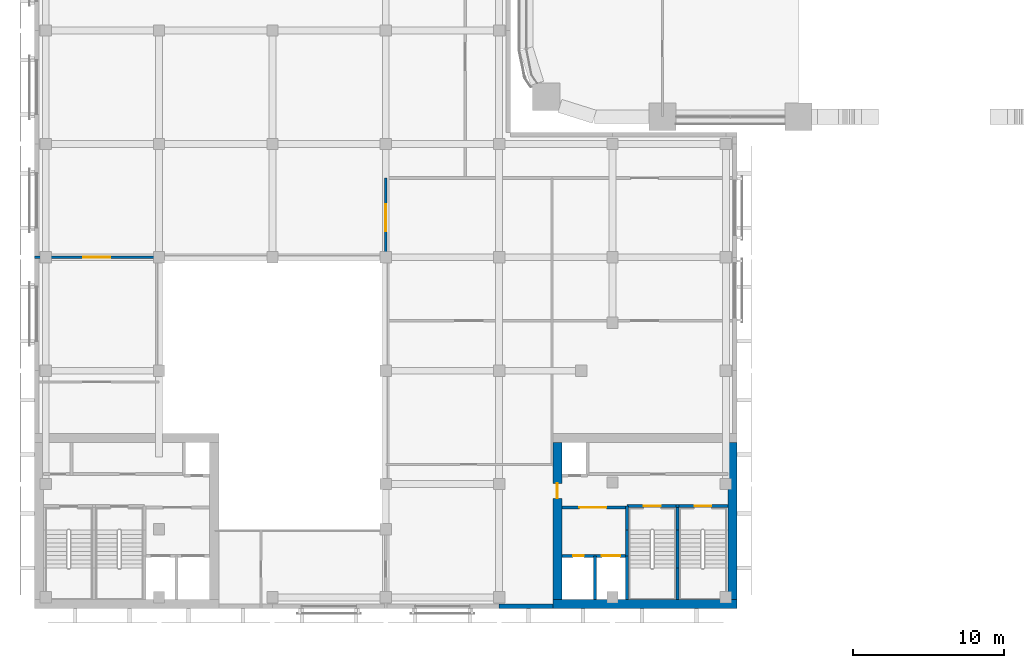
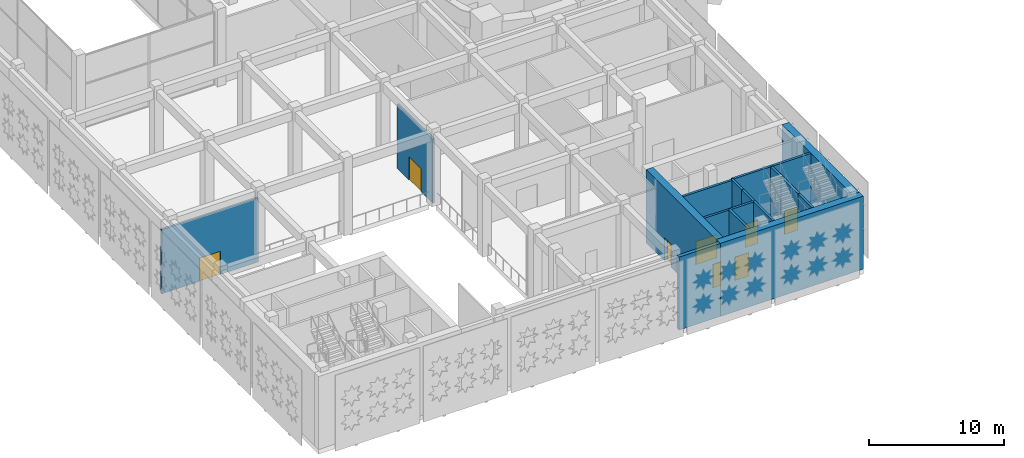
# One storey, part 15 of 42: 18 walls, 8 doors, 8 openings.
"""IFC4 building model written with IfcOpenShell, lengths in metres."""

from ifc_helpers import new_model, si_unit, direction, frame, frame_2d, origin, place, context, subcontext, project, spatial, rectangle, extrude, material, layer, layer_set, type_object, element, fill, save


model = new_model("IFC4")

# Units and contexts
model_context = context("Model", 3, precision=1e-05, world=origin(), true_north=direction((0.0, 1.0)))
body_context = subcontext(model_context, "Body", "Model", "MODEL_VIEW")
ifc_project = project(units=[si_unit("LENGTHUNIT", "METRE"), si_unit("AREAUNIT", "SQUARE_METRE"), si_unit("VOLUMEUNIT", "CUBIC_METRE"), si_unit("PLANEANGLEUNIT", "RADIAN"), si_unit("MASSUNIT", "GRAM", prefix="KILO")], contexts=[model_context])

# Site, building, storey
site_placement = place(None, origin())
site = spatial("IfcSite", under=ifc_project, at=site_placement, CompositionType="ELEMENT")
building_placement = place(site_placement, origin())
building = spatial("IfcBuilding", under=site, at=building_placement, Name="Tessera Arch", CompositionType="ELEMENT")
storey_placement = place(building_placement, frame((0.0, 0.0, 14.0)))
storey = spatial("IfcBuildingStorey", under=building, at=storey_placement, Name="L02", CompositionType="ELEMENT", Elevation=14.0)

# Wall, opening, door
ifc_material_1 = material(Name="Gypsum board on steel stud", Category="steel")
ifc_layer_1 = layer(ifc_material_1, 0.125)
ifc_layer_set_1 = layer_set([ifc_layer_1], Name="Core partition 125 EI 60")
wall_type_1 = type_object("IfcWallType", Name="Core partition 125 EI 60", PredefinedType="PARTITIONING", material=ifc_layer_set_1)
wall_1_placement = place(storey_placement, frame((2.35009765625, -25.85009765625, 0.0), z_axis=(0.0, 0.0, 1.0), x_axis=(1.0, 0.0, 0.0)))
wall_1 = element("IfcWall", 1, at=wall_1_placement, inside=storey, type_object=wall_type_1, Name="L02 M3 partition wall 10", PredefinedType="PARTITIONING", context=body_context, shape_type="SweptSolid", body=[
    extrude(rectangle(XDim=4.2998046875, YDim=0.199951171875, at=frame_2d((2.14990234375, 0.0))), origin(), (0.0, 0.0, 1.0), 6.590087890625),
])
opening_1_placement = place(wall_1_placement, frame((1.14990234375, 0.0, 0.0)))
opening_1 = element("IfcOpeningElement", 2, at=opening_1_placement, cuts=wall_1, Name="Opening L02-C64", PredefinedType="OPENING", context=body_context, shape_type="SweptSolid", body=[
    extrude(rectangle(XDim=1.800048828125, YDim=2.10009765625, at=frame_2d((0.89990234375, 1.050048828125))), frame((0.0, 0.10986328125, 0.0), z_axis=(0.0, -1.0, 0.0), x_axis=(1.0, 0.0, 0.0)), (0.0, 0.0, 1.0), 0.219970703125),
])
ifc_material_2 = material(Name="Glazed steel door leaf", Category="steel")
door_type_1 = type_object("IfcDoorType", Name="Lobby double door FD30S 1800 x 2100", OperationType="DOUBLE_DOOR_SINGLE_SWING", PredefinedType="DOOR", material=ifc_material_2)
door_1_placement = place(opening_1_placement, origin())
door_1 = element("IfcDoor", 3, at=door_1_placement, inside=storey, type_object=door_type_1, Name="L02 M3 door 4 C64 type D06", OperationType="DOUBLE_DOOR_SINGLE_SWING", OverallHeight=2.10009765625, OverallWidth=1.800048828125, PredefinedType="DOOR", context=body_context, shape_type="SweptSolid", body=[
    extrude(rectangle(XDim=1.800048828125, YDim=2.10009765625, at=frame_2d((0.89990234375, 1.050048828125))), frame((0.0, 0.02490234375, 0.0), z_axis=(0.0, -1.0, 0.0), x_axis=(1.0, 0.0, 0.0)), (0.0, 0.0, 1.0), 0.050048828125),
])
fill(opening_1, door_1)

# Wall
ifc_material_3 = material(Name="Concrete C70/85", Category="concrete")
ifc_layer_2 = layer(ifc_material_3, 0.60009765625)
ifc_layer_set_2 = layer_set([ifc_layer_2], Name="Core shell wall 600 C70-85")
wall_type_2 = type_object("IfcWallType", Name="Core shell wall 600 C70-85", PredefinedType="SHEAR", material=ifc_layer_set_2)
wall_2_placement = place(storey_placement, frame((1.75, -32.25, 0.0), z_axis=(0.0, 0.0, 1.0), x_axis=(1.0, 0.0, 0.0)))
element("IfcWall", 4, at=wall_2_placement, inside=storey, type_object=wall_type_2, Name="L02 M3 core wall S", PredefinedType="SHEAR", context=body_context, shape_type="SweptSolid", body=[
    extrude(rectangle(XDim=12.199951171875, YDim=0.60009765625, at=frame_2d((6.10009765625, 0.0))), origin(), (0.0, 0.0, 1.0), 6.590087890625),
])

# Wall, opening, door
wall_3_placement = place(storey_placement, frame((2.050048828125, -31.949951171875, 0.0), z_axis=(0.0, 0.0, 1.0), x_axis=(0.0, 1.0, 0.0)))
wall_3 = element("IfcWall", 5, at=wall_3_placement, inside=storey, type_object=wall_type_2, Name="L02 M3 core wall W", PredefinedType="SHEAR", context=body_context, shape_type="SweptSolid", body=[
    extrude(rectangle(XDim=10.39990234375, YDim=0.60009765625, at=frame_2d((5.199951171875, 0.0))), origin(), (0.0, 0.0, 1.0), 6.590087890625),
])
opening_2_placement = place(wall_3_placement, frame((6.699951171875, 0.0, 0.0)))
opening_2 = element("IfcOpeningElement", 6, at=opening_2_placement, cuts=wall_3, Name="Opening L02-C67", PredefinedType="OPENING", context=body_context, shape_type="SweptSolid", body=[
    extrude(rectangle(XDim=1.0, YDim=2.10009765625, at=frame_2d((0.5, 1.050048828125))), frame((0.0, 0.31005859375, 0.0), z_axis=(0.0, -1.0, 0.0), x_axis=(1.0, 0.0, 0.0)), (0.0, 0.0, 1.0), 0.6201171875),
])
ifc_material_4 = material(Name="Steel door leaf", Category="steel")
door_type_2 = type_object("IfcDoorType", Name="Corridor door FD60 1000 x 2100", OperationType="SINGLE_SWING_LEFT", PredefinedType="DOOR", material=ifc_material_4)
door_2_placement = place(opening_2_placement, origin())
door_2 = element("IfcDoor", 7, at=door_2_placement, inside=storey, type_object=door_type_2, Name="L02 M3 door 7 C67 type D12", OperationType="SINGLE_SWING_RIGHT", OverallHeight=2.10009765625, OverallWidth=1.0, PredefinedType="DOOR", context=body_context, shape_type="SweptSolid", body=[
    extrude(rectangle(XDim=1.0, YDim=2.10009765625, at=frame_2d((0.5, 1.050048828125))), frame((0.0, 0.02490234375, 0.0), z_axis=(0.0, -1.0, 0.0), x_axis=(1.0, 0.0, 0.0)), (0.0, 0.0, 1.0), 0.050048828125),
])
fill(opening_2, door_2)

# Wall
wall_4_placement = place(storey_placement, frame((13.64990234375, -31.949951171875, 0.0), z_axis=(0.0, 0.0, 1.0), x_axis=(0.0, 1.0, 0.0)))
element("IfcWall", 8, at=wall_4_placement, inside=storey, type_object=wall_type_2, Name="L02 M3 core wall E", PredefinedType="SHEAR", context=body_context, shape_type="SweptSolid", body=[
    extrude(rectangle(XDim=10.39990234375, YDim=0.60009765625, at=frame_2d((5.199951171875, 0.0))), origin(), (0.0, 0.0, 1.0), 6.590087890625),
])

# Wall, opening, door
ifc_material_5 = material(Name="Gypsum board on deep steel stud with mineral wool", Category="steel")
ifc_layer_3 = layer(ifc_material_5, 0.175048828125)
ifc_layer_set_3 = layer_set([ifc_layer_3], Name="Corridor wall 175 EI 60")
wall_type_3 = type_object("IfcWallType", Name="Corridor wall 175 EI 60", PredefinedType="PARTITIONING", material=ifc_layer_set_3)
wall_5_placement = place(storey_placement, frame((-32.550048828125, -9.300048828125, 0.0), z_axis=(0.0, 0.0, 1.0), x_axis=(1.0, 0.0, 0.0)))
wall_5 = element("IfcWall", 9, at=wall_5_placement, inside=storey, type_object=wall_type_3, Name="L02 partition 1", PredefinedType="PARTITIONING", context=body_context, shape_type="SweptSolid", body=[
    extrude(rectangle(XDim=8.25, YDim=0.175048828125, at=frame_2d((4.125, 0.0))), origin(), (0.0, 0.0, 1.0), 5.7900390625),
])
opening_3_placement = place(wall_5_placement, frame((3.22509765625, 0.0, 0.0)))
opening_3 = element("IfcOpeningElement", 10, at=opening_3_placement, cuts=wall_5, Name="Opening L02-D013", PredefinedType="OPENING", context=body_context, shape_type="SweptSolid", body=[
    extrude(rectangle(XDim=1.800048828125, YDim=2.10009765625, at=frame_2d((0.89990234375, 1.050048828125))), frame((0.0, 0.097412109375, 0.0), z_axis=(0.0, -1.0, 0.0), x_axis=(1.0, 0.0, 0.0)), (0.0, 0.0, 1.0), 0.195068359375),
])
ifc_material_6 = material(Name="Timber door leaf", Category="wood")
door_type_3 = type_object("IfcDoorType", Name="Double door 1800 x 2100", OperationType="DOUBLE_DOOR_SINGLE_SWING", PredefinedType="DOOR", material=ifc_material_6)
door_3_placement = place(opening_3_placement, origin())
door_3 = element("IfcDoor", 11, at=door_3_placement, inside=storey, type_object=door_type_3, Name="L02 door D013 type D13", OperationType="DOUBLE_DOOR_SINGLE_SWING", OverallHeight=2.10009765625, OverallWidth=1.800048828125, PredefinedType="DOOR", context=body_context, shape_type="SweptSolid", body=[
    extrude(rectangle(XDim=1.800048828125, YDim=2.10009765625, at=frame_2d((0.89990234375, 1.050048828125))), frame((0.0, 0.02490234375, 0.0), z_axis=(0.0, -1.0, 0.0), x_axis=(1.0, 0.0, 0.0)), (0.0, 0.0, 1.0), 0.050048828125),
])
fill(opening_3, door_3)

wall_6_placement = place(storey_placement, frame((-9.300048828125, -9.300048828125, 0.0), z_axis=(0.0, 0.0, 1.0), x_axis=(0.0, 1.0, 0.0)))
wall_6 = element("IfcWall", 12, at=wall_6_placement, inside=storey, type_object=wall_type_3, Name="L02 partition 12", PredefinedType="PARTITIONING", context=body_context, shape_type="SweptSolid", body=[
    extrude(rectangle(XDim=5.25, YDim=0.175048828125, at=frame_2d((2.625, 0.0))), origin(), (0.0, 0.0, 1.0), 5.7900390625),
])
opening_4_placement = place(wall_6_placement, frame((1.72509765625, 0.0, 0.0)))
opening_4 = element("IfcOpeningElement", 13, at=opening_4_placement, cuts=wall_6, Name="Opening L02-D011", PredefinedType="OPENING", context=body_context, shape_type="SweptSolid", body=[
    extrude(rectangle(XDim=1.800048828125, YDim=2.10009765625, at=frame_2d((0.89990234375, 1.050048828125))), frame((0.0, 0.097412109375, 0.0), z_axis=(0.0, -1.0, 0.0), x_axis=(1.0, 0.0, 0.0)), (0.0, 0.0, 1.0), 0.195068359375),
])
door_4_placement = place(opening_4_placement, origin())
door_4 = element("IfcDoor", 14, at=door_4_placement, inside=storey, type_object=door_type_3, Name="L02 door D011 type D13", OperationType="DOUBLE_DOOR_SINGLE_SWING", OverallHeight=2.10009765625, OverallWidth=1.800048828125, PredefinedType="DOOR", context=body_context, shape_type="SweptSolid", body=[
    extrude(rectangle(XDim=1.800048828125, YDim=2.10009765625, at=frame_2d((0.89990234375, 1.050048828125))), frame((0.0, 0.02490234375, 0.0), z_axis=(0.0, -1.0, 0.0), x_axis=(1.0, 0.0, 0.0)), (0.0, 0.0, 1.0), 0.050048828125),
])
fill(opening_4, door_4)

# Walls
ifc_material_7 = material(Name="Aluminium cladding pale metal anodised", Category="aluminium")
ifc_layer_4 = layer(ifc_material_7, 0.300048828125)
ifc_layer_set_4 = layer_set([ifc_layer_4], Name="Museum envelope wall pale metal")
wall_type_4 = type_object("IfcWallType", Name="Museum envelope wall pale metal", PredefinedType="SOLIDWALL", material=ifc_layer_set_4)
wall_7_placement = place(storey_placement, frame((-1.800048828125, -32.39990234375, 0.0), z_axis=(0.0, 0.0, 1.0), x_axis=(1.0, 0.0, 0.0)))
element("IfcWall", 15, at=wall_7_placement, inside=storey, type_object=wall_type_4, Name="Museum external wall pale metal mashrabiya pattern", PredefinedType="SOLIDWALL", context=body_context, shape_type="SweptSolid", body=[
    extrude(rectangle(XDim=3.550048828125, YDim=0.300048828125, at=frame_2d((1.77490234375, 0.0))), origin(), (0.0, 0.0, 1.0), 6.590087890625),
])
ifc_material_8 = material(Name="Concrete C40/50", Category="concrete")
ifc_layer_5 = layer(ifc_material_8, 0.199951171875)
ifc_layer_set_5 = layer_set([ifc_layer_5], Name="Shaft wall 200 EI 120")
wall_type_5 = type_object("IfcWallType", Name="Shaft wall 200 EI 120", PredefinedType="SOLIDWALL", material=ifc_layer_set_5)
for number, where, z_axis, x_axis, name in (
    (16, (4.550048828125, -31.949951171875, 0.0), (0.0, 0.0, 1.0), (0.0, 1.0, 0.0), "L02 M3 shaft wall 2"),
    (17, (6.64990234375, -31.949951171875, 0.0), (0.0, 0.0, 1.0), (0.0, 1.0, 0.0), "L02 M3 shaft wall 3"),
):
    element("IfcWall", number, at=place(storey_placement, frame(where, z_axis=z_axis, x_axis=x_axis)), inside=storey, type_object=wall_type_5, Name=name, PredefinedType="SOLIDWALL", context=body_context, shape_type="SweptSolid", body=[
        extrude(rectangle(XDim=2.89990234375, YDim=0.199951171875, at=frame_2d((1.449951171875, 0.0))), origin(), (0.0, 0.0, 1.0), 6.590087890625),
    ])

# Wall, openings, doors
wall_8_placement = place(storey_placement, frame((2.35009765625, -29.050048828125, 0.0), z_axis=(0.0, 0.0, 1.0), x_axis=(1.0, 0.0, 0.0)))
wall_8 = element("IfcWall", 18, at=wall_8_placement, inside=storey, type_object=wall_type_5, Name="L02 M3 shaft wall 9", PredefinedType="SOLIDWALL", context=body_context, shape_type="SweptSolid", body=[
    extrude(rectangle(XDim=4.2998046875, YDim=0.199951171875, at=frame_2d((2.14990234375, 0.0))), origin(), (0.0, 0.0, 1.0), 6.590087890625),
])
opening_5_placement = place(wall_8_placement, frame((2.64990234375, 0.0, 0.0)))
opening_5 = element("IfcOpeningElement", 19, at=opening_5_placement, cuts=wall_8, Name="Opening L02-C61", PredefinedType="OPENING", context=body_context, shape_type="SweptSolid", body=[
    extrude(rectangle(XDim=1.199951171875, YDim=2.10009765625, at=frame_2d((0.60009765625, 1.050048828125))), frame((0.0, 0.10986328125, 0.0), z_axis=(0.0, -1.0, 0.0), x_axis=(1.0, 0.0, 0.0)), (0.0, 0.0, 1.0), 0.219970703125),
])
opening_6_placement = place(wall_8_placement, frame((0.75, 0.0, 0.0)))
opening_6 = element("IfcOpeningElement", 20, at=opening_6_placement, cuts=wall_8, Name="Opening L02-C66", PredefinedType="OPENING", context=body_context, shape_type="SweptSolid", body=[
    extrude(rectangle(XDim=0.699951171875, YDim=2.10009765625, at=frame_2d((0.35009765625, 1.050048828125))), frame((0.0, 0.10986328125, 0.0), z_axis=(0.0, -1.0, 0.0), x_axis=(1.0, 0.0, 0.0)), (0.0, 0.0, 1.0), 0.219970703125),
])
ifc_material_9 = material(Name="Steel door leaf", Category="steel")
door_type_4 = type_object("IfcDoorType", Name="Service shaft door FD60 700 x 2100", OperationType="SINGLE_SWING_LEFT", PredefinedType="DOOR", material=ifc_material_9)
door_5_placement = place(opening_6_placement, origin())
door_5 = element("IfcDoor", 21, at=door_5_placement, inside=storey, type_object=door_type_4, Name="L02 M3 door 6 C66 type D07", OperationType="SINGLE_SWING_LEFT", OverallHeight=2.10009765625, OverallWidth=0.699951171875, PredefinedType="DOOR", context=body_context, shape_type="SweptSolid", body=[
    extrude(rectangle(XDim=0.699951171875, YDim=2.10009765625, at=frame_2d((0.35009765625, 1.050048828125))), frame((0.0, 0.02490234375, 0.0), z_axis=(0.0, -1.0, 0.0), x_axis=(1.0, 0.0, 0.0)), (0.0, 0.0, 1.0), 0.050048828125),
])
fill(opening_6, door_5)
ifc_material_10 = material(Name="Stainless steel AISI 304", Category="steel")
door_type_5 = type_object("IfcDoorType", Name="Sliding landing door 1200 x 2100", OperationType="SLIDING_TO_LEFT", PredefinedType="DOOR", material=ifc_material_10)
door_6_placement = place(opening_5_placement, origin())
door_6 = element("IfcDoor", 22, at=door_6_placement, inside=storey, type_object=door_type_5, Name="L02 ML4 lift landing door C61 type LD", OperationType="SLIDING_TO_LEFT", OverallHeight=2.10009765625, OverallWidth=1.199951171875, PredefinedType="DOOR", context=body_context, shape_type="SweptSolid", body=[
    extrude(rectangle(XDim=1.199951171875, YDim=2.10009765625, at=frame_2d((0.60009765625, 1.050048828125))), frame((0.0, 0.02490234375, 0.0), z_axis=(0.0, -1.0, 0.0), x_axis=(1.0, 0.0, 0.0)), (0.0, 0.0, 1.0), 0.050048828125),
])
fill(opening_5, door_6)

# Walls
ifc_material_11 = material(Name="Concrete C40/50", Category="concrete")
ifc_layer_6 = layer(ifc_material_11, 0.199951171875)
ifc_layer_set_6 = layer_set([ifc_layer_6], Name="Stair well wall 200 REI 180")
wall_type_6 = type_object("IfcWallType", Name="Stair well wall 200 REI 180", PredefinedType="SOLIDWALL", material=ifc_layer_set_6)
wall_9_placement = place(storey_placement, frame((6.64990234375, -29.050048828125, 0.0), z_axis=(0.0, 0.0, 1.0), x_axis=(0.0, 1.0, 0.0)))
element("IfcWall", 23, at=wall_9_placement, inside=storey, type_object=wall_type_6, Name="L02 M3 shaft wall 4", PredefinedType="SOLIDWALL", context=body_context, shape_type="SweptSolid", body=[
    extrude(rectangle(XDim=1.699951171875, YDim=0.199951171875, at=frame_2d((0.85009765625, 0.0))), origin(), (0.0, 0.0, 1.0), 6.590087890625),
])
wall_10_placement = place(storey_placement, frame((6.64990234375, -27.35009765625, 0.0), z_axis=(0.0, 0.0, 1.0), x_axis=(0.0, 1.0, 0.0)))
element("IfcWall", 24, at=wall_10_placement, inside=storey, type_object=wall_type_6, Name="L02 M3 shaft wall 5", PredefinedType="SOLIDWALL", context=body_context, shape_type="SweptSolid", body=[
    extrude(rectangle(XDim=1.60009765625, YDim=0.199951171875, at=frame_2d((0.800048828125, 0.0))), origin(), (0.0, 0.0, 1.0), 6.590087890625),
])
wall_11_placement = place(storey_placement, frame((10.0, -31.949951171875, 0.0), z_axis=(0.0, 0.0, 1.0), x_axis=(0.0, 1.0, 0.0)))
element("IfcWall", 25, at=wall_11_placement, inside=storey, type_object=wall_type_6, Name="L02 M3 shaft wall 6", PredefinedType="SOLIDWALL", context=body_context, shape_type="SweptSolid", body=[
    extrude(rectangle(XDim=2.079833984375, YDim=0.199951171875, at=frame_2d((1.0400390625, 0.0))), origin(), (0.0, 0.0, 1.0), 6.590087890625),
])
wall_12_placement = place(storey_placement, frame((10.0, -29.8701171875, 0.0), z_axis=(0.0, 0.0, 1.0), x_axis=(0.0, 1.0, 0.0)))
element("IfcWall", 26, at=wall_12_placement, inside=storey, type_object=wall_type_6, Name="L02 M3 shaft wall 7", PredefinedType="SOLIDWALL", context=body_context, shape_type="SweptSolid", body=[
    extrude(rectangle(XDim=2.52001953125, YDim=0.199951171875, at=frame_2d((1.260009765625, 0.0))), origin(), (0.0, 0.0, 1.0), 6.590087890625),
])
wall_13_placement = place(storey_placement, frame((10.0, -27.35009765625, 0.0), z_axis=(0.0, 0.0, 1.0), x_axis=(0.0, 1.0, 0.0)))
element("IfcWall", 27, at=wall_13_placement, inside=storey, type_object=wall_type_6, Name="L02 M3 shaft wall 8", PredefinedType="SOLIDWALL", context=body_context, shape_type="SweptSolid", body=[
    extrude(rectangle(XDim=1.60009765625, YDim=0.199951171875, at=frame_2d((0.800048828125, 0.0))), origin(), (0.0, 0.0, 1.0), 6.590087890625),
])

# Wall, opening, door
wall_14_placement = place(storey_placement, frame((6.64990234375, -25.75, 0.0), z_axis=(0.0, 0.0, 1.0), x_axis=(1.0, 0.0, 0.0)))
wall_14 = element("IfcWall", 28, at=wall_14_placement, inside=storey, type_object=wall_type_6, Name="L02 M3 shaft wall 11", PredefinedType="SOLIDWALL", context=body_context, shape_type="SweptSolid", body=[
    extrude(rectangle(XDim=3.25, YDim=0.199951171875, at=frame_2d((1.625, 0.0))), origin(), (0.0, 0.0, 1.0), 6.590087890625),
])
opening_7_placement = place(wall_14_placement, frame((1.125, 0.0, 0.0)))
opening_7 = element("IfcOpeningElement", 29, at=opening_7_placement, cuts=wall_14, Name="Opening L02-C63", PredefinedType="OPENING", context=body_context, shape_type="SweptSolid", body=[
    extrude(rectangle(XDim=1.10009765625, YDim=2.10009765625, at=frame_2d((0.550048828125, 1.050048828125))), frame((0.0, 0.10986328125, 0.0), z_axis=(0.0, -1.0, 0.0), x_axis=(1.0, 0.0, 0.0)), (0.0, 0.0, 1.0), 0.219970703125),
])
ifc_material_12 = material(Name="Steel door leaf", Category="steel")
door_type_6 = type_object("IfcDoorType", Name="Stair door FD60 1100 x 2100", OperationType="SINGLE_SWING_LEFT", PredefinedType="DOOR", material=ifc_material_12)
door_7_placement = place(opening_7_placement, origin())
door_7 = element("IfcDoor", 30, at=door_7_placement, inside=storey, type_object=door_type_6, Name="L02 M3 door 3 C63 type D05", OperationType="SINGLE_SWING_RIGHT", OverallHeight=2.10009765625, OverallWidth=1.10009765625, PredefinedType="DOOR", context=body_context, shape_type="SweptSolid", body=[
    extrude(rectangle(XDim=1.10009765625, YDim=2.10009765625, at=frame_2d((0.550048828125, 1.050048828125))), frame((0.0, 0.02490234375, 0.0), z_axis=(0.0, -1.0, 0.0), x_axis=(1.0, 0.0, 0.0)), (0.0, 0.0, 1.0), 0.050048828125),
])
fill(opening_7, door_7)

# Wall
wall_15_placement = place(storey_placement, frame((9.89990234375, -25.75, 0.0), z_axis=(0.0, 0.0, 1.0), x_axis=(1.0, 0.0, 0.0)))
element("IfcWall", 31, at=wall_15_placement, inside=storey, type_object=wall_type_6, Name="L02 M3 shaft wall 12", PredefinedType="SOLIDWALL", context=body_context, shape_type="SweptSolid", body=[
    extrude(rectangle(XDim=0.2001953125, YDim=0.199951171875, at=frame_2d((0.10009765625, 0.0))), origin(), (0.0, 0.0, 1.0), 6.590087890625),
])

# Wall, opening, door
wall_16_placement = place(storey_placement, frame((10.10009765625, -25.75, 0.0), z_axis=(0.0, 0.0, 1.0), x_axis=(1.0, 0.0, 0.0)))
wall_16 = element("IfcWall", 32, at=wall_16_placement, inside=storey, type_object=wall_type_6, Name="L02 M3 shaft wall 13", PredefinedType="SOLIDWALL", context=body_context, shape_type="SweptSolid", body=[
    extrude(rectangle(XDim=3.25, YDim=0.199951171875, at=frame_2d((1.625, 0.0))), origin(), (0.0, 0.0, 1.0), 6.590087890625),
])
opening_8_placement = place(wall_16_placement, frame((1.02490234375, 0.0, 0.0)))
opening_8 = element("IfcOpeningElement", 33, at=opening_8_placement, cuts=wall_16, Name="Opening L02-C62", PredefinedType="OPENING", context=body_context, shape_type="SweptSolid", body=[
    extrude(rectangle(XDim=1.10009765625, YDim=2.10009765625, at=frame_2d((0.550048828125, 1.050048828125))), frame((0.0, 0.10986328125, 0.0), z_axis=(0.0, -1.0, 0.0), x_axis=(1.0, 0.0, 0.0)), (0.0, 0.0, 1.0), 0.219970703125),
])
door_8_placement = place(opening_8_placement, origin())
door_8 = element("IfcDoor", 34, at=door_8_placement, inside=storey, type_object=door_type_6, Name="L02 M3 door 2 C62 type D05", OperationType="SINGLE_SWING_LEFT", OverallHeight=2.10009765625, OverallWidth=1.10009765625, PredefinedType="DOOR", context=body_context, shape_type="SweptSolid", body=[
    extrude(rectangle(XDim=1.10009765625, YDim=2.10009765625, at=frame_2d((0.550048828125, 1.050048828125))), frame((0.0, 0.02490234375, 0.0), z_axis=(0.0, -1.0, 0.0), x_axis=(1.0, 0.0, 0.0)), (0.0, 0.0, 1.0), 0.050048828125),
])
fill(opening_8, door_8)

save(model, "model.ifc")
